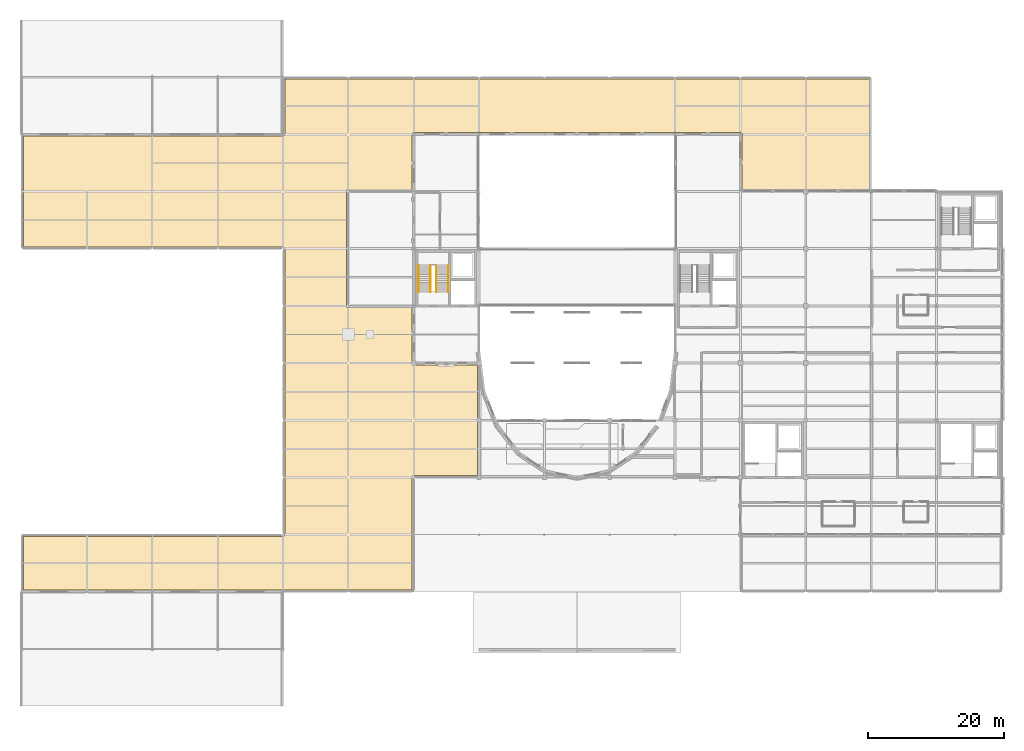
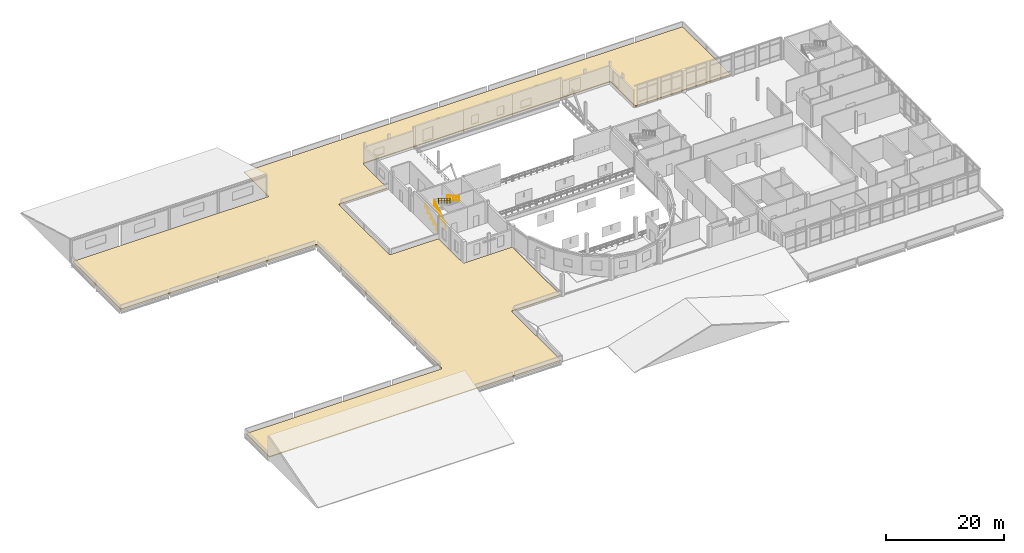
# One storey, part 48 of 52: 4 railings, 1 covering.
"""IFC4 building model written with IfcOpenShell, lengths in metres."""

from ifc_helpers import new_model, si_unit, direction, frame, origin, origin_2d, place, context, subcontext, project, spatial, polyline, circle, outline, extrude, material, layer, layer_set, type_object, element, save


model = new_model("IFC4")

# Units and contexts
model_context = context("Model", 3, precision=1e-05, world=origin(), true_north=direction((0.0, 1.0)))
body_context = subcontext(model_context, "Body", "Model", "MODEL_VIEW")
ifc_project = project(units=[si_unit("LENGTHUNIT", "METRE"), si_unit("AREAUNIT", "SQUARE_METRE"), si_unit("VOLUMEUNIT", "CUBIC_METRE"), si_unit("PLANEANGLEUNIT", "RADIAN"), si_unit("MASSUNIT", "GRAM", prefix="KILO")], contexts=[model_context])

# Site, building, storey
site_placement = place(None, origin())
site = spatial("IfcSite", under=ifc_project, at=site_placement, CompositionType="ELEMENT")
building_placement = place(site_placement, origin())
building = spatial("IfcBuilding", under=site, at=building_placement, Name="Lornevale Opera House", CompositionType="ELEMENT")
storey_placement = place(building_placement, frame((0.0, 0.0, 15.0)))
storey = spatial("IfcBuildingStorey", under=building, at=storey_placement, Name="L04", CompositionType="ELEMENT", Elevation=15.0)

# Covering
ifc_material_1 = material(Name="Vegetated Extensive Green Roof Assembly")
ifc_layer_1 = layer(ifc_material_1, 0.159912109375)
ifc_layer_set_1 = layer_set([ifc_layer_1], Name="Vegetated Extensive Green Roof Assembly")
covering_type = type_object("IfcCoveringType", Name="Chapter 492 Green Roof Covering", PredefinedType="ROOFING", material=ifc_layer_set_1)
covering_placement = place(storey_placement, origin())
element("IfcCovering", 1, at=covering_placement, inside=storey, type_object=covering_type, Name="Chapter 492 Green Roof Covering 0567", PredefinedType="ROOFING", context=body_context, shape_type="SweptSolid", body=[
    extrude(outline(polyline([(38.39990234375, 24.93994140625), (38.425048828125, 24.94091796875), (38.450927734375, 24.945068359375), (38.47509765625, 24.950927734375), (38.4990234375, 24.9599609375), (38.52294921875, 24.970947265625), (38.5439453125, 24.98388671875), (38.56494140625, 24.9990234375), (38.583984375, 25.01611328125), (38.60107421875, 25.034912109375), (38.615966796875, 25.055908203125), (38.62890625, 25.076904296875), (38.639892578125, 25.10107421875), (38.64892578125, 25.125), (38.655029296875, 25.14892578125), (38.658935546875, 25.175048828125), (38.659912109375, 25.199951171875), (38.659912109375, 67.199951171875), (38.658935546875, 67.22509765625), (38.655029296875, 67.2509765625), (38.64892578125, 67.27490234375), (38.639892578125, 67.299072265625), (38.62890625, 67.322998046875), (38.615966796875, 67.343994140625), (38.60107421875, 67.364990234375), (38.583984375, 67.384033203125), (38.56494140625, 67.40087890625), (38.5439453125, 67.416015625), (38.52294921875, 67.428955078125), (38.4990234375, 67.43994140625), (38.47509765625, 67.448974609375), (38.450927734375, 67.455078125), (38.425048828125, 67.458984375), (38.39990234375, 67.4599609375), (0.260009765625, 67.4599609375), (0.260009765625, 83.739990234375), (38.39990234375, 83.739990234375), (38.425048828125, 83.740966796875), (38.450927734375, 83.7451171875), (38.47509765625, 83.7509765625), (38.4990234375, 83.760009765625), (38.52294921875, 83.77099609375), (38.5439453125, 83.783935546875), (38.56494140625, 83.799072265625), (38.583984375, 83.81591796875), (38.60107421875, 83.8349609375), (38.615966796875, 83.85595703125), (38.62890625, 83.876953125), (38.639892578125, 83.90087890625), (38.64892578125, 83.925048828125), (38.655029296875, 83.948974609375), (38.658935546875, 83.97509765625), (38.659912109375, 84.0), (38.659912109375, 92.139892578125), (124.5400390625, 92.139892578125), (124.5400390625, 75.860107421875), (105.860107421875, 75.860107421875), (105.860107421875, 84.0), (105.85888671875, 84.02490234375), (105.85498046875, 84.051025390625), (105.84912109375, 84.074951171875), (105.840087890625, 84.09912109375), (105.8291015625, 84.123046875), (105.81591796875, 84.14404296875), (105.801025390625, 84.1650390625), (105.783935546875, 84.18408203125), (105.764892578125, 84.200927734375), (105.743896484375, 84.216064453125), (105.722900390625, 84.22900390625), (105.698974609375, 84.239990234375), (105.675048828125, 84.2490234375), (105.65087890625, 84.2548828125), (105.625, 84.259033203125), (105.60009765625, 84.260009765625), (57.60009765625, 84.260009765625), (57.574951171875, 84.259033203125), (57.549072265625, 84.2548828125), (57.52490234375, 84.2490234375), (57.5009765625, 84.239990234375), (57.47705078125, 84.22900390625), (57.4560546875, 84.216064453125), (57.43505859375, 84.200927734375), (57.416015625, 84.18408203125), (57.39892578125, 84.1650390625), (57.384033203125, 84.14404296875), (57.37109375, 84.123046875), (57.360107421875, 84.09912109375), (57.35107421875, 84.074951171875), (57.344970703125, 84.051025390625), (57.341064453125, 84.02490234375), (57.340087890625, 84.0), (57.340087890625, 75.860107421875), (48.0, 75.860107421875), (47.97509765625, 75.85888671875), (47.948974609375, 75.85498046875), (47.925048828125, 75.84912109375), (47.90087890625, 75.840087890625), (47.876953125, 75.8291015625), (47.85595703125, 75.81591796875), (47.8349609375, 75.801025390625), (47.81591796875, 75.783935546875), (47.799072265625, 75.764892578125), (47.783935546875, 75.743896484375), (47.77099609375, 75.722900390625), (47.760009765625, 75.698974609375), (47.7509765625, 75.675048828125), (47.7451171875, 75.65087890625), (47.740966796875, 75.625), (47.739990234375, 75.60009765625), (47.739990234375, 58.800048828125), (47.740966796875, 58.77490234375), (47.7451171875, 58.7490234375), (47.7509765625, 58.72509765625), (47.760009765625, 58.700927734375), (47.77099609375, 58.677001953125), (47.783935546875, 58.656005859375), (47.799072265625, 58.635009765625), (47.81591796875, 58.615966796875), (47.8349609375, 58.59912109375), (47.85595703125, 58.583984375), (47.876953125, 58.571044921875), (47.90087890625, 58.56005859375), (47.925048828125, 58.551025390625), (47.948974609375, 58.544921875), (47.97509765625, 58.541015625), (48.0, 58.5400390625), (57.340087890625, 58.5400390625), (57.340087890625, 50.39990234375), (57.341064453125, 50.375), (57.344970703125, 50.34912109375), (57.35107421875, 50.324951171875), (57.360107421875, 50.301025390625), (57.37109375, 50.277099609375), (57.384033203125, 50.256103515625), (57.39892578125, 50.235107421875), (57.416015625, 50.216064453125), (57.43505859375, 50.198974609375), (57.4560546875, 50.18408203125), (57.47705078125, 50.1708984375), (57.5009765625, 50.159912109375), (57.52490234375, 50.15087890625), (57.549072265625, 50.14501953125), (57.574951171875, 50.14111328125), (57.60009765625, 50.139892578125), (66.93994140625, 50.139892578125), (66.93994140625, 33.860107421875), (57.60009765625, 33.860107421875), (57.574951171875, 33.85888671875), (57.549072265625, 33.85498046875), (57.52490234375, 33.84912109375), (57.5009765625, 33.840087890625), (57.47705078125, 33.8291015625), (57.4560546875, 33.81591796875), (57.43505859375, 33.801025390625), (57.416015625, 33.783935546875), (57.39892578125, 33.764892578125), (57.384033203125, 33.743896484375), (57.37109375, 33.722900390625), (57.360107421875, 33.698974609375), (57.35107421875, 33.675048828125), (57.344970703125, 33.65087890625), (57.341064453125, 33.625), (57.340087890625, 33.60009765625), (57.340087890625, 17.06005859375), (0.260009765625, 17.06005859375), (0.260009765625, 24.93994140625), (38.39990234375, 24.93994140625)])), origin(), (0.0, 0.0, 1.0), 0.159912109375),
])

# Railings
ifc_material_2 = material(Name="Structural Steel CSA G40.21 Grade 350W (350 MPa)", Category="steel")
ifc_layer_2 = layer(ifc_material_2, 0.050048828125)
ifc_layer_set_2 = layer_set([ifc_layer_2], Name="Structural Steel CSA G40.21 Grade 350W (350 MPa)")
railing_type_1 = type_object("IfcRailingType", Name="Stair Well Guardrail 1100", PredefinedType="GUARDRAIL", material=ifc_layer_set_2)
railing_1_placement = place(storey_placement, frame((60.080078125, 60.860107421875, 0.0)))
element("IfcRailing", 2, at=railing_1_placement, inside=storey, type_object=railing_type_1, Name="ST-19 Inner Well Guard F1", PredefinedType="GUARDRAIL", context=body_context, shape_type="SweptSolid", body=[
    extrude(circle(Radius=0.02392578125, at=origin_2d()), frame((0.0, 0.0, 1.076171875), z_axis=(0.0, 0.852856131449, 0.522145974847), x_axis=(-1.0, 0.0, 0.0)), (0.0, 0.0, 1.0), 4.59619140625),
    extrude(circle(Radius=0.02392578125, at=origin_2d()), frame((0.0, 0.0, 0.550048828125), z_axis=(0.0, 0.852856131449, 0.522145974847), x_axis=(-1.0, 0.0, 0.0)), (0.0, 0.0, 1.0), 4.59619140625),
    extrude(circle(Radius=0.02099609375, at=origin_2d()), origin(), (0.0, 0.0, 1.0), 1.052001953125),
    extrude(circle(Radius=0.02099609375, at=origin_2d()), frame((0.0, 0.97998046875, 0.60009765625)), (0.0, 0.0, 1.0), 1.052001953125),
    extrude(circle(Radius=0.02099609375, at=origin_2d()), frame((0.0, 1.9599609375, 1.199951171875)), (0.0, 0.0, 1.0), 1.052001953125),
    extrude(circle(Radius=0.02099609375, at=origin_2d()), frame((0.0, 2.93994140625, 1.7998046875)), (0.0, 0.0, 1.0), 1.052001953125),
    extrude(circle(Radius=0.02099609375, at=origin_2d()), frame((0.0, 3.919921875, 2.39990234375)), (0.0, 0.0, 1.0), 1.052001953125),
])
railing_2_placement = place(storey_placement, frame((60.919921875, 64.780029296875, 2.39990234375)))
element("IfcRailing", 3, at=railing_2_placement, inside=storey, type_object=railing_type_1, Name="ST-19 Inner Well Guard F2", PredefinedType="GUARDRAIL", context=body_context, shape_type="SweptSolid", body=[
    extrude(circle(Radius=0.02392578125, at=origin_2d()), frame((0.0, 0.0, 1.076171875), z_axis=(0.0, -0.852832477147, 0.522184609045), x_axis=(1.0, 0.0, 0.0)), (0.0, 0.0, 1.0), 4.596435546875),
    extrude(circle(Radius=0.02392578125, at=origin_2d()), frame((0.0, 0.0, 0.550048828125), z_axis=(0.0, -0.852832477147, 0.522184609045), x_axis=(1.0, 0.0, 0.0)), (0.0, 0.0, 1.0), 4.596435546875),
    extrude(circle(Radius=0.02099609375, at=origin_2d()), origin(), (0.0, 0.0, 1.0), 1.052001953125),
    extrude(circle(Radius=0.02099609375, at=origin_2d()), frame((0.0, -0.97998046875, 0.60009765625)), (0.0, 0.0, 1.0), 1.052001953125),
    extrude(circle(Radius=0.02099609375, at=origin_2d()), frame((0.0, -1.9599609375, 1.2001953125)), (0.0, 0.0, 1.0), 1.052001953125),
    extrude(circle(Radius=0.02099609375, at=origin_2d()), frame((0.0, -2.93994140625, 1.800048828125)), (0.0, 0.0, 1.0), 1.052001953125),
    extrude(circle(Radius=0.02099609375, at=origin_2d()), frame((0.0, -3.919921875, 2.400146484375)), (0.0, 0.0, 1.0), 1.052001953125),
])
ifc_layer_3 = layer(ifc_material_2, 0.048095703125)
ifc_layer_set_3 = layer_set([ifc_layer_3], Name="Structural Steel CSA G40.21 Grade 350W (350 MPa)")
railing_type_2 = type_object("IfcRailingType", Name="Tubular Stair Handrail 915", PredefinedType="HANDRAIL", material=ifc_layer_set_3)
railing_3_placement = place(storey_placement, frame((58.320068359375, 60.860107421875, 0.1630859375)))
element("IfcRailing", 4, at=railing_3_placement, inside=storey, type_object=railing_type_2, Name="ST-19 Outer Handrail F1", PredefinedType="HANDRAIL", context=body_context, shape_type="SweptSolid", body=[
    extrude(circle(Radius=0.02392578125, at=origin_2d()), frame((0.0, 0.0, 0.89111328125), z_axis=(0.0, 0.868239814368, 0.496144761885), x_axis=(-1.0, 0.0, 0.0)), (0.0, 0.0, 1.0), 4.514892578125),
    extrude(circle(Radius=0.02099609375, at=origin_2d()), origin(), (0.0, 0.0, 1.0), 0.866943359375),
    extrude(circle(Radius=0.02099609375, at=origin_2d()), frame((0.0, 0.97998046875, 0.56005859375)), (0.0, 0.0, 1.0), 0.866943359375),
    extrude(circle(Radius=0.02099609375, at=origin_2d()), frame((0.0, 1.9599609375, 1.1201171875)), (0.0, 0.0, 1.0), 0.866943359375),
    extrude(circle(Radius=0.02099609375, at=origin_2d()), frame((0.0, 2.93994140625, 1.679931640625)), (0.0, 0.0, 1.0), 0.866943359375),
    extrude(circle(Radius=0.02099609375, at=origin_2d()), frame((0.0, 3.919921875, 2.239990234375)), (0.0, 0.0, 1.0), 0.866943359375),
])
railing_4_placement = place(storey_placement, frame((62.679931640625, 64.780029296875, 2.56298828125)))
element("IfcRailing", 5, at=railing_4_placement, inside=storey, type_object=railing_type_2, Name="ST-19 Outer Handrail F2", PredefinedType="HANDRAIL", context=body_context, shape_type="SweptSolid", body=[
    extrude(circle(Radius=0.02392578125, at=origin_2d()), frame((0.0, 0.0, 0.89111328125), z_axis=(0.0, -0.868239814368, 0.496144761885), x_axis=(1.0, 0.0, 0.0)), (0.0, 0.0, 1.0), 4.514892578125),
    extrude(circle(Radius=0.02099609375, at=origin_2d()), origin(), (0.0, 0.0, 1.0), 0.866943359375),
    extrude(circle(Radius=0.02099609375, at=origin_2d()), frame((0.0, -0.97998046875, 0.56005859375)), (0.0, 0.0, 1.0), 0.866943359375),
    extrude(circle(Radius=0.02099609375, at=origin_2d()), frame((0.0, -1.9599609375, 1.1201171875)), (0.0, 0.0, 1.0), 0.866943359375),
    extrude(circle(Radius=0.02099609375, at=origin_2d()), frame((0.0, -2.93994140625, 1.679931640625)), (0.0, 0.0, 1.0), 0.866943359375),
    extrude(circle(Radius=0.02099609375, at=origin_2d()), frame((0.0, -3.919921875, 2.239990234375)), (0.0, 0.0, 1.0), 0.866943359375),
])

save(model, "model.ifc")
